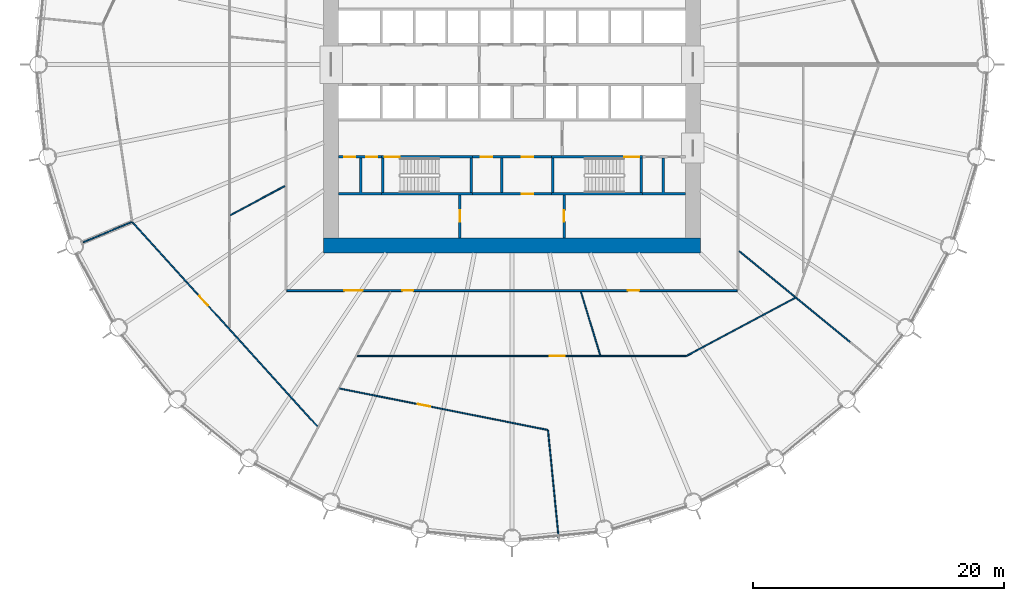
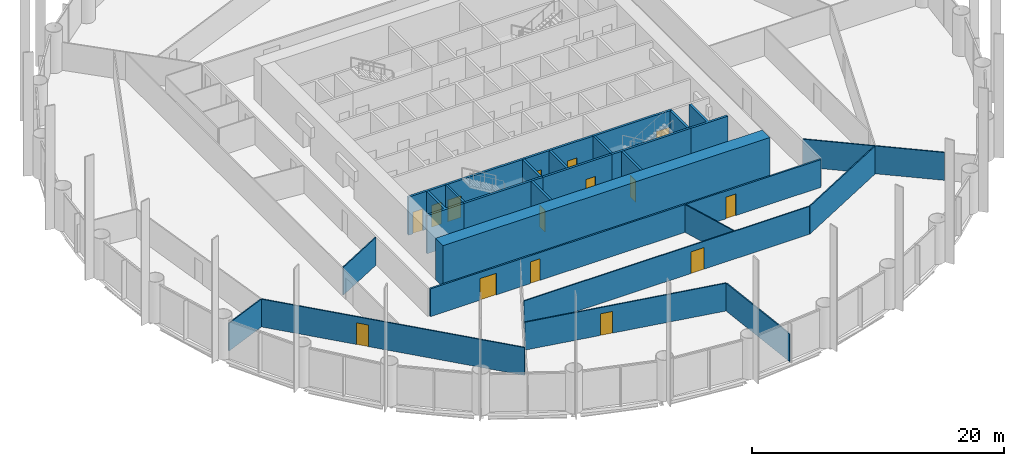
# One storey, part 9 of 15: 27 walls, 15 doors, 15 openings.
"""IFC4 building model written with IfcOpenShell, lengths in metres."""

from ifc_helpers import new_model, si_unit, direction, frame, frame_2d, origin, place, context, subcontext, project, spatial, polyline, rectangle, outline, extrude, material, layer, layer_set, type_object, element, fill, save


model = new_model("IFC4")

# Units and contexts
model_context = context("Model", 3, precision=1e-05, world=origin(), true_north=direction((0.0, 1.0)))
body_context = subcontext(model_context, "Body", "Model", "MODEL_VIEW")
ifc_project = project(units=[si_unit("LENGTHUNIT", "METRE"), si_unit("AREAUNIT", "SQUARE_METRE"), si_unit("VOLUMEUNIT", "CUBIC_METRE"), si_unit("PLANEANGLEUNIT", "RADIAN"), si_unit("MASSUNIT", "GRAM", prefix="KILO")], contexts=[model_context])

# Site, building, storey
site_placement = place(None, origin())
site = spatial("IfcSite", under=ifc_project, at=site_placement, CompositionType="ELEMENT")
building_placement = place(site_placement, origin())
building = spatial("IfcBuilding", under=site, at=building_placement, Name="Corvane Civic Tower", CompositionType="ELEMENT")
storey_placement = place(building_placement, frame((0.0, 0.0, 65.0)))
storey = spatial("IfcBuildingStorey", under=building, at=storey_placement, Name="L14", CompositionType="ELEMENT", Elevation=65.0)

# Wall
ifc_material_1 = material(Name="Concrete C80/95", Category="concrete")
ifc_layer_1 = layer(ifc_material_1, 1.199951171875)
ifc_layer_set_1 = layer_set([ifc_layer_1], Name="Concrete C80/95")
wall_type_1 = type_object("IfcWallType", Name="CORE WALL 1200 C80/95", PredefinedType="SHEAR", material=ifc_layer_set_1)
wall_1_placement = place(storey_placement, frame((-15.0, -14.39990234375, 0.0), z_axis=(0.0, 0.0, 1.0), x_axis=(1.0, 0.0, 0.0)))
element("IfcWall", 1, at=wall_1_placement, inside=storey, type_object=wall_type_1, Name="W-L14-core-S", PredefinedType="SHEAR", context=body_context, shape_type="SweptSolid", body=[
    extrude(rectangle(XDim=30.0, YDim=1.199951171875, at=frame_2d((15.0, 0.0))), origin(), (0.0, 0.0, 1.0), 4.0),
])

# Wall, opening, door
ifc_material_2 = material(Name="Concrete C30/37", Category="concrete")
ifc_layer_2 = layer(ifc_material_2, 0.199951171875)
ifc_layer_set_2 = layer_set([ifc_layer_2], Name="Concrete C30/37")
wall_type_2 = type_object("IfcWallType", Name="CR-WALL-200", PredefinedType="PARTITIONING", material=ifc_layer_set_2)
wall_2_placement = place(storey_placement, frame((-3.14990234375, -10.300048828125, 0.0), z_axis=(0.0, 0.0, 1.0), x_axis=(1.0, 0.0, 0.0)))
wall_2 = element("IfcWall", 2, at=wall_2_placement, inside=storey, type_object=wall_type_2, Name="L14 partition wall", PredefinedType="PARTITIONING", context=body_context, shape_type="SweptSolid", body=[
    extrude(rectangle(XDim=6.2998046875, YDim=0.199951171875, at=frame_2d((3.14990234375, 0.0))), origin(), (0.0, 0.0, 1.0), 3.699951171875),
])
opening_1_placement = place(wall_2_placement, frame((3.925048828125, 0.0, 0.0)))
opening_1 = element("IfcOpeningElement", 3, at=opening_1_placement, cuts=wall_2, Name="Opening L14.C10", PredefinedType="OPENING", context=body_context, shape_type="SweptSolid", body=[
    extrude(rectangle(XDim=0.89990234375, YDim=2.10009765625, at=frame_2d((0.449951171875, 1.050048828125))), frame((0.0, 0.10986328125, 0.0), z_axis=(0.0, -1.0, 0.0), x_axis=(1.0, 0.0, 0.0)), (0.0, 0.0, 1.0), 0.219970703125),
])
ifc_material_3 = material(Name="Steel fire door leaf", Category="steel")
door_type_1 = type_object("IfcDoorType", Name="CR-DOOR-900", OperationType="SINGLE_SWING_LEFT", PredefinedType="DOOR", material=ifc_material_3)
door_1_placement = place(opening_1_placement, origin())
door_1 = element("IfcDoor", 4, at=door_1_placement, inside=storey, type_object=door_type_1, Name="L14 door", OperationType="SINGLE_SWING_LEFT", OverallHeight=2.10009765625, OverallWidth=0.89990234375, PredefinedType="DOOR", context=body_context, shape_type="SweptSolid", body=[
    extrude(rectangle(XDim=0.89990234375, YDim=2.10009765625, at=frame_2d((0.449951171875, 1.050048828125))), frame((0.0, 0.02490234375, 0.0), z_axis=(0.0, -1.0, 0.0), x_axis=(1.0, 0.0, 0.0)), (0.0, 0.0, 1.0), 0.050048828125),
])
fill(opening_1, door_1)

# Wall, openings, doors
wall_3_placement = place(storey_placement, frame((-13.800048828125, -7.35009765625, 0.0), z_axis=(0.0, 0.0, 1.0), x_axis=(1.0, 0.0, 0.0)))
wall_3 = element("IfcWall", 5, at=wall_3_placement, inside=storey, type_object=wall_type_2, Name="L14 core partition wall", PredefinedType="PARTITIONING", context=body_context, shape_type="SweptSolid", body=[
    extrude(rectangle(XDim=3.400146484375, YDim=0.199951171875, at=frame_2d((1.7001953125, 0.0))), origin(), (0.0, 0.0, 1.0), 3.699951171875),
])
opening_2_placement = place(wall_3_placement, frame((0.425048828125, 0.0, 0.0)))
opening_2 = element("IfcOpeningElement", 6, at=opening_2_placement, cuts=wall_3, Name="Opening L14.C14", PredefinedType="OPENING", context=body_context, shape_type="SweptSolid", body=[
    extrude(rectangle(XDim=0.89990234375, YDim=2.10009765625, at=frame_2d((0.449951171875, 1.050048828125))), frame((0.0, 0.10986328125, 0.0), z_axis=(0.0, -1.0, 0.0), x_axis=(1.0, 0.0, 0.0)), (0.0, 0.0, 1.0), 0.219970703125),
])
opening_3_placement = place(wall_3_placement, frame((2.175048828125, 0.0, 0.0)))
opening_3 = element("IfcOpeningElement", 7, at=opening_3_placement, cuts=wall_3, Name="Opening L14.C15", PredefinedType="OPENING", context=body_context, shape_type="SweptSolid", body=[
    extrude(rectangle(XDim=0.89990234375, YDim=2.10009765625, at=frame_2d((0.449951171875, 1.050048828125))), frame((0.0, 0.10986328125, 0.0), z_axis=(0.0, -1.0, 0.0), x_axis=(1.0, 0.0, 0.0)), (0.0, 0.0, 1.0), 0.219970703125),
])
door_2_placement = place(opening_2_placement, origin())
door_2 = element("IfcDoor", 8, at=door_2_placement, inside=storey, type_object=door_type_1, Name="L14 door", OperationType="SINGLE_SWING_LEFT", OverallHeight=2.10009765625, OverallWidth=0.89990234375, PredefinedType="DOOR", context=body_context, shape_type="SweptSolid", body=[
    extrude(rectangle(XDim=0.89990234375, YDim=2.10009765625, at=frame_2d((0.449951171875, 1.050048828125))), frame((0.0, 0.02490234375, 0.0), z_axis=(0.0, -1.0, 0.0), x_axis=(1.0, 0.0, 0.0)), (0.0, 0.0, 1.0), 0.050048828125),
])
fill(opening_2, door_2)
door_3_placement = place(opening_3_placement, origin())
door_3 = element("IfcDoor", 9, at=door_3_placement, inside=storey, type_object=door_type_1, Name="L14 door", OperationType="SINGLE_SWING_LEFT", OverallHeight=2.10009765625, OverallWidth=0.89990234375, PredefinedType="DOOR", context=body_context, shape_type="SweptSolid", body=[
    extrude(rectangle(XDim=0.89990234375, YDim=2.10009765625, at=frame_2d((0.449951171875, 1.050048828125))), frame((0.0, 0.02490234375, 0.0), z_axis=(0.0, -1.0, 0.0), x_axis=(1.0, 0.0, 0.0)), (0.0, 0.0, 1.0), 0.050048828125),
])
fill(opening_3, door_3)

wall_4_placement = place(storey_placement, frame((-3.14990234375, -7.35009765625, 0.0), z_axis=(0.0, 0.0, 1.0), x_axis=(1.0, 0.0, 0.0)))
wall_4 = element("IfcWall", 10, at=wall_4_placement, inside=storey, type_object=wall_type_2, Name="L14 core partition wall", PredefinedType="PARTITIONING", context=body_context, shape_type="SweptSolid", body=[
    extrude(rectangle(XDim=6.2998046875, YDim=0.199951171875, at=frame_2d((3.14990234375, 0.0))), origin(), (0.0, 0.0, 1.0), 3.699951171875),
])
opening_4_placement = place(wall_4_placement, frame((0.675048828125, 0.0, 0.0)))
opening_4 = element("IfcOpeningElement", 11, at=opening_4_placement, cuts=wall_4, Name="Opening L14.C04", PredefinedType="OPENING", context=body_context, shape_type="SweptSolid", body=[
    extrude(rectangle(XDim=0.89990234375, YDim=2.10009765625, at=frame_2d((0.449951171875, 1.050048828125))), frame((0.0, 0.10986328125, 0.0), z_axis=(0.0, -1.0, 0.0), x_axis=(1.0, 0.0, 0.0)), (0.0, 0.0, 1.0), 0.219970703125),
])
opening_5_placement = place(wall_4_placement, frame((3.925048828125, 0.0, 0.0)))
opening_5 = element("IfcOpeningElement", 12, at=opening_5_placement, cuts=wall_4, Name="Opening L14.C05", PredefinedType="OPENING", context=body_context, shape_type="SweptSolid", body=[
    extrude(rectangle(XDim=0.89990234375, YDim=2.10009765625, at=frame_2d((0.449951171875, 1.050048828125))), frame((0.0, 0.10986328125, 0.0), z_axis=(0.0, -1.0, 0.0), x_axis=(1.0, 0.0, 0.0)), (0.0, 0.0, 1.0), 0.219970703125),
])
door_4_placement = place(opening_4_placement, origin())
door_4 = element("IfcDoor", 13, at=door_4_placement, inside=storey, type_object=door_type_1, Name="L14 door", OperationType="SINGLE_SWING_LEFT", OverallHeight=2.10009765625, OverallWidth=0.89990234375, PredefinedType="DOOR", context=body_context, shape_type="SweptSolid", body=[
    extrude(rectangle(XDim=0.89990234375, YDim=2.10009765625, at=frame_2d((0.449951171875, 1.050048828125))), frame((0.0, 0.02490234375, 0.0), z_axis=(0.0, -1.0, 0.0), x_axis=(1.0, 0.0, 0.0)), (0.0, 0.0, 1.0), 0.050048828125),
])
fill(opening_4, door_4)
door_5_placement = place(opening_5_placement, origin())
door_5 = element("IfcDoor", 14, at=door_5_placement, inside=storey, type_object=door_type_1, Name="L14 door", OperationType="SINGLE_SWING_LEFT", OverallHeight=2.10009765625, OverallWidth=0.89990234375, PredefinedType="DOOR", context=body_context, shape_type="SweptSolid", body=[
    extrude(rectangle(XDim=0.89990234375, YDim=2.10009765625, at=frame_2d((0.449951171875, 1.050048828125))), frame((0.0, 0.02490234375, 0.0), z_axis=(0.0, -1.0, 0.0), x_axis=(1.0, 0.0, 0.0)), (0.0, 0.0, 1.0), 0.050048828125),
])
fill(opening_5, door_5)

# Wall, opening, door
wall_5_placement = place(storey_placement, frame((-4.14990234375, -13.800048828125, 0.0), z_axis=(0.0, 0.0, 1.0), x_axis=(0.0, 1.0, 0.0)))
wall_5 = element("IfcWall", 15, at=wall_5_placement, inside=storey, type_object=wall_type_2, Name="L14 partition wall", PredefinedType="PARTITIONING", context=body_context, shape_type="SweptSolid", body=[
    extrude(rectangle(XDim=3.400146484375, YDim=0.199951171875, at=frame_2d((1.7001953125, 0.0))), origin(), (0.0, 0.0, 1.0), 3.699951171875),
])
opening_6_placement = place(wall_5_placement, frame((1.300048828125, 0.0, 0.0)))
opening_6 = element("IfcOpeningElement", 16, at=opening_6_placement, cuts=wall_5, Name="Opening L14.C09", PredefinedType="OPENING", context=body_context, shape_type="SweptSolid", body=[
    extrude(rectangle(XDim=0.89990234375, YDim=2.10009765625, at=frame_2d((0.449951171875, 1.050048828125))), frame((0.0, 0.10986328125, 0.0), z_axis=(0.0, -1.0, 0.0), x_axis=(1.0, 0.0, 0.0)), (0.0, 0.0, 1.0), 0.219970703125),
])
door_6_placement = place(opening_6_placement, origin())
door_6 = element("IfcDoor", 17, at=door_6_placement, inside=storey, type_object=door_type_1, Name="L14 door", OperationType="SINGLE_SWING_LEFT", OverallHeight=2.10009765625, OverallWidth=0.89990234375, PredefinedType="DOOR", context=body_context, shape_type="SweptSolid", body=[
    extrude(rectangle(XDim=0.89990234375, YDim=2.10009765625, at=frame_2d((0.449951171875, 1.050048828125))), frame((0.0, 0.02490234375, 0.0), z_axis=(0.0, -1.0, 0.0), x_axis=(1.0, 0.0, 0.0)), (0.0, 0.0, 1.0), 0.050048828125),
])
fill(opening_6, door_6)

wall_6_placement = place(storey_placement, frame((4.14990234375, -13.800048828125, 0.0), z_axis=(0.0, 0.0, 1.0), x_axis=(0.0, 1.0, 0.0)))
wall_6 = element("IfcWall", 18, at=wall_6_placement, inside=storey, type_object=wall_type_2, Name="L14 partition wall", PredefinedType="PARTITIONING", context=body_context, shape_type="SweptSolid", body=[
    extrude(rectangle(XDim=3.400146484375, YDim=0.199951171875, at=frame_2d((1.7001953125, 0.0))), origin(), (0.0, 0.0, 1.0), 3.699951171875),
])
opening_7_placement = place(wall_6_placement, frame((1.300048828125, 0.0, 0.0)))
opening_7 = element("IfcOpeningElement", 19, at=opening_7_placement, cuts=wall_6, Name="Opening L14.C11", PredefinedType="OPENING", context=body_context, shape_type="SweptSolid", body=[
    extrude(rectangle(XDim=0.89990234375, YDim=2.10009765625, at=frame_2d((0.449951171875, 1.050048828125))), frame((0.0, 0.10986328125, 0.0), z_axis=(0.0, -1.0, 0.0), x_axis=(1.0, 0.0, 0.0)), (0.0, 0.0, 1.0), 0.219970703125),
])
door_7_placement = place(opening_7_placement, origin())
door_7 = element("IfcDoor", 20, at=door_7_placement, inside=storey, type_object=door_type_1, Name="L14 door", OperationType="SINGLE_SWING_LEFT", OverallHeight=2.10009765625, OverallWidth=0.89990234375, PredefinedType="DOOR", context=body_context, shape_type="SweptSolid", body=[
    extrude(rectangle(XDim=0.89990234375, YDim=2.10009765625, at=frame_2d((0.449951171875, 1.050048828125))), frame((0.0, 0.02490234375, 0.0), z_axis=(0.0, -1.0, 0.0), x_axis=(1.0, 0.0, 0.0)), (0.0, 0.0, 1.0), 0.050048828125),
])
fill(opening_7, door_7)

# Walls
wall_7_placement = place(storey_placement, origin())
element("IfcWall", 21, at=wall_7_placement, inside=storey, type_object=wall_type_2, Name="L14 core partition wall", PredefinedType="PARTITIONING", context=body_context, shape_type="SweptSolid", body=[
    extrude(outline(polyline([(-12.14990234375, -7.449951171875), (-11.949951171875, -7.449951171875), (-11.949951171875, -10.199951171875), (-10.39990234375, -10.199951171875), (-10.39990234375, -10.39990234375), (-13.800048828125, -10.39990234375), (-13.800048828125, -10.199951171875), (-12.14990234375, -10.199951171875), (-12.14990234375, -7.449951171875)])), origin(), (0.0, 0.0, 1.0), 3.699951171875),
])
wall_8_placement = place(storey_placement, origin())
element("IfcWall", 22, at=wall_8_placement, inside=storey, type_object=wall_type_2, Name="L14 core partition wall", PredefinedType="PARTITIONING", context=body_context, shape_type="SweptSolid", body=[
    extrude(outline(polyline([(-0.699951171875, -10.199951171875), (-0.89990234375, -10.199951171875), (-0.89990234375, -7.449951171875), (-0.699951171875, -7.449951171875), (-0.699951171875, -10.199951171875)])), origin(), (0.0, 0.0, 1.0), 3.699951171875),
])
wall_9_placement = place(storey_placement, origin())
element("IfcWall", 23, at=wall_9_placement, inside=storey, type_object=wall_type_2, Name="L14 core partition wall", PredefinedType="PARTITIONING", context=body_context, shape_type="SweptSolid", body=[
    extrude(outline(polyline([(11.949951171875, -7.449951171875), (12.14990234375, -7.449951171875), (12.14990234375, -10.199951171875), (13.800048828125, -10.199951171875), (13.800048828125, -10.39990234375), (10.39990234375, -10.39990234375), (10.39990234375, -10.199951171875), (11.949951171875, -10.199951171875), (11.949951171875, -7.449951171875)])), origin(), (0.0, 0.0, 1.0), 3.699951171875),
])
ifc_material_4 = material(Name="Plasterboard")
ifc_layer_3 = layer(ifc_material_4, 0.10009765625)
ifc_layer_set_3 = layer_set([ifc_layer_3], Name="Plasterboard")
wall_type_3 = type_object("IfcWallType", Name="Partition 100 plasterboard on studs", PredefinedType="PARTITIONING", material=ifc_layer_set_3)
wall_10_placement = place(storey_placement, frame((2.86962890625, -29.1357421875, 0.0), z_axis=(0.0, 0.0, 1.0), x_axis=(0.098012580456, -0.99518517577, 0.0)))
element("IfcWall", 24, at=wall_10_placement, inside=storey, type_object=wall_type_3, Name="Partition L14.001", PredefinedType="PARTITIONING", context=body_context, shape_type="SweptSolid", body=[
    extrude(rectangle(XDim=8.67333984375, YDim=0.10009765625, at=frame_2d((4.336669921875, 0.0))), origin(), (0.0, 0.0, 1.0), 2.699951171875),
])

# Wall, opening, door
wall_11_placement = place(storey_placement, frame((-13.71728515625, -25.80029296875, 0.0), z_axis=(0.0, 0.0, 1.0), x_axis=(0.980786622224, -0.195083576107, 0.0)))
wall_11 = element("IfcWall", 25, at=wall_11_placement, inside=storey, type_object=wall_type_3, Name="Partition L14.003", PredefinedType="PARTITIONING", context=body_context, shape_type="SweptSolid", body=[
    extrude(rectangle(XDim=16.87109375, YDim=0.10009765625, at=frame_2d((8.435546875, 0.0))), origin(), (0.0, 0.0, 1.0), 2.699951171875),
])
opening_8_placement = place(wall_11_placement, frame((6.35205078125, 0.0, 0.0)))
opening_8 = element("IfcOpeningElement", 26, at=opening_8_placement, cuts=wall_11, Name="Opening L14.002", PredefinedType="OPENING", context=body_context, shape_type="SweptSolid", body=[
    extrude(rectangle(XDim=1.0, YDim=2.10009765625, at=frame_2d((0.5, 1.050048828125))), frame((0.0, 0.06005859375, 0.0), z_axis=(0.0, -1.0, 0.0), x_axis=(1.0, 0.0, 0.0)), (0.0, 0.0, 1.0), 0.1201171875),
])
ifc_material_5 = material(Name="Timber", Category="wood")
door_type_2 = type_object("IfcDoorType", Name="Single door 1000", OperationType="NOTDEFINED", PredefinedType="DOOR", material=ifc_material_5)
door_8_placement = place(opening_8_placement, frame((1.0, 0.0, 0.0), z_axis=(0.0, 0.0, 1.0), x_axis=(-1.0, 0.0, 0.0)))
door_8 = element("IfcDoor", 27, at=door_8_placement, inside=storey, type_object=door_type_2, Name="Door L14.002", OperationType="SINGLE_SWING_RIGHT", OverallHeight=2.10009765625, OverallWidth=1.0, PredefinedType="DOOR", context=body_context, shape_type="SweptSolid", body=[
    extrude(rectangle(XDim=1.0, YDim=2.10009765625, at=frame_2d((0.5, 1.050048828125))), frame((0.0, 0.02490234375, 0.0), z_axis=(0.0, -1.0, 0.0), x_axis=(1.0, 0.0, 0.0)), (0.0, 0.0, 1.0), 0.050048828125),
])
fill(opening_8, door_8)

wall_12_placement = place(storey_placement, frame((-30.227783203125, -12.556640625, 0.0), z_axis=(0.0, 0.0, 1.0), x_axis=(0.67156235145, -0.740948046839, 0.0)))
wall_12 = element("IfcWall", 28, at=wall_12_placement, inside=storey, type_object=wall_type_3, Name="Partition L14.004", PredefinedType="PARTITIONING", context=body_context, shape_type="SweptSolid", body=[
    extrude(rectangle(XDim=21.9560546875, YDim=0.10009765625, at=frame_2d((10.97802734375, 0.0))), origin(), (0.0, 0.0, 1.0), 2.699951171875),
])
opening_9_placement = place(wall_12_placement, frame((7.940185546875, 0.0, 0.0)))
opening_9 = element("IfcOpeningElement", 29, at=opening_9_placement, cuts=wall_12, Name="Opening L14.008", PredefinedType="OPENING", context=body_context, shape_type="SweptSolid", body=[
    extrude(rectangle(XDim=1.0, YDim=2.10009765625, at=frame_2d((0.5, 1.050048828125))), frame((0.0, 0.06005859375, 0.0), z_axis=(0.0, -1.0, 0.0), x_axis=(1.0, 0.0, 0.0)), (0.0, 0.0, 1.0), 0.1201171875),
])
door_9_placement = place(opening_9_placement, frame((1.0, 0.0, 0.0), z_axis=(0.0, 0.0, 1.0), x_axis=(-1.0, 0.0, 0.0)))
door_9 = element("IfcDoor", 30, at=door_9_placement, inside=storey, type_object=door_type_2, Name="Door L14.008", OperationType="SINGLE_SWING_RIGHT", OverallHeight=2.10009765625, OverallWidth=1.0, PredefinedType="DOOR", context=body_context, shape_type="SweptSolid", body=[
    extrude(rectangle(XDim=1.0, YDim=2.10009765625, at=frame_2d((0.5, 1.050048828125))), frame((0.0, 0.02490234375, 0.0), z_axis=(0.0, -1.0, 0.0), x_axis=(1.0, 0.0, 0.0)), (0.0, 0.0, 1.0), 0.050048828125),
])
fill(opening_9, door_9)

wall_13_placement = place(storey_placement, frame((-12.317138671875, -23.199951171875, 0.0), z_axis=(0.0, 0.0, 1.0), x_axis=(1.0, 0.0, 0.0)))
wall_13 = element("IfcWall", 31, at=wall_13_placement, inside=storey, type_object=wall_type_3, Name="Partition L14.006", PredefinedType="PARTITIONING", context=body_context, shape_type="SweptSolid", body=[
    extrude(rectangle(XDim=26.20654296875, YDim=0.10009765625, at=frame_2d((13.103271484375, 0.0))), origin(), (0.0, 0.0, 1.0), 2.699951171875),
])
opening_10_placement = place(wall_13_placement, frame((15.31494140625, 0.0, 0.0)))
opening_10 = element("IfcOpeningElement", 32, at=opening_10_placement, cuts=wall_13, Name="Opening L14.004", PredefinedType="OPENING", context=body_context, shape_type="SweptSolid", body=[
    extrude(rectangle(XDim=1.199951171875, YDim=2.10009765625, at=frame_2d((0.60009765625, 1.050048828125))), frame((0.0, 0.06005859375, 0.0), z_axis=(0.0, -1.0, 0.0), x_axis=(1.0, 0.0, 0.0)), (0.0, 0.0, 1.0), 0.1201171875),
])
ifc_material_6 = material(Name="Timber", Category="wood")
door_type_3 = type_object("IfcDoorType", Name="Double door 1200", OperationType="NOTDEFINED", PredefinedType="DOOR", material=ifc_material_6)
door_10_placement = place(opening_10_placement, frame((1.199951171875, 0.0, 0.0), z_axis=(0.0, 0.0, 1.0), x_axis=(-1.0, 0.0, 0.0)))
door_10 = element("IfcDoor", 33, at=door_10_placement, inside=storey, type_object=door_type_3, Name="Door L14.004", OperationType="DOUBLE_DOOR_SINGLE_SWING", OverallHeight=2.10009765625, OverallWidth=1.199951171875, PredefinedType="DOOR", context=body_context, shape_type="SweptSolid", body=[
    extrude(rectangle(XDim=1.199951171875, YDim=2.10009765625, at=frame_2d((0.60009765625, 1.050048828125))), frame((0.0, 0.02490234375, 0.0), z_axis=(0.0, -1.0, 0.0), x_axis=(1.0, 0.0, 0.0)), (0.0, 0.0, 1.0), 0.050048828125),
])
fill(opening_10, door_10)

# Walls
wall_14_placement = place(storey_placement, frame((13.9130859375, -23.194091796875, 0.0), z_axis=(0.0, 0.0, 1.0), x_axis=(0.88192128868, 0.471396691305, 0.0)))
element("IfcWall", 34, at=wall_14_placement, inside=storey, type_object=wall_type_3, Name="Partition L14.007", PredefinedType="PARTITIONING", context=body_context, shape_type="SweptSolid", body=[
    extrude(rectangle(XDim=9.778076171875, YDim=0.10009765625, at=frame_2d((4.88916015625, 0.0))), origin(), (0.0, 0.0, 1.0), 2.699951171875),
])
wall_15_placement = place(storey_placement, frame((5.4873046875, -18.089599609375, 0.0), z_axis=(0.0, 0.0, 1.0), x_axis=(0.290302940199, -0.956934795538, 0.0)))
element("IfcWall", 35, at=wall_15_placement, inside=storey, type_object=wall_type_3, Name="Partition L14.008", PredefinedType="PARTITIONING", context=body_context, shape_type="SweptSolid", body=[
    extrude(rectangle(XDim=5.27294921875, YDim=0.10009765625, at=frame_2d((2.636474609375, 0.0))), origin(), (0.0, 0.0, 1.0), 2.699951171875),
])
wall_16_placement = place(storey_placement, frame((18.106689453125, -14.85986328125, 0.0), z_axis=(0.0, 0.0, 1.0), x_axis=(0.773018264294, -0.634383766397, 0.0)))
element("IfcWall", 36, at=wall_16_placement, inside=storey, type_object=wall_type_3, Name="Partition L14.009", PredefinedType="PARTITIONING", context=body_context, shape_type="SweptSolid", body=[
    extrude(rectangle(XDim=11.42041015625, YDim=0.10009765625, at=frame_2d((5.710205078125, 0.0))), origin(), (0.0, 0.0, 1.0), 2.699951171875),
])
wall_17_placement = place(storey_placement, frame((-34.17431640625, -14.155517578125, 0.0), z_axis=(0.0, 0.0, 1.0), x_axis=(0.923864757577, 0.382719100265, 0.0)))
element("IfcWall", 37, at=wall_17_placement, inside=storey, type_object=wall_type_3, Name="Partition L14.016", PredefinedType="PARTITIONING", context=body_context, shape_type="SweptSolid", body=[
    extrude(rectangle(XDim=4.20703125, YDim=0.10009765625, at=frame_2d((2.103515625, 0.0))), origin(), (0.0, 0.0, 1.0), 2.699951171875),
])
wall_18_placement = place(storey_placement, frame((-22.426513671875, -11.9873046875, 0.0), z_axis=(0.0, 0.0, 1.0), x_axis=(0.881906349881, 0.47142463877, 0.0)))
element("IfcWall", 38, at=wall_18_placement, inside=storey, type_object=wall_type_3, Name="Partition L14.018", PredefinedType="PARTITIONING", context=body_context, shape_type="SweptSolid", body=[
    extrude(rectangle(XDim=4.907470703125, YDim=0.10009765625, at=frame_2d((2.45361328125, 0.0))), origin(), (0.0, 0.0, 1.0), 2.699951171875),
])

# Wall, opening, door
ifc_material_7 = material(Name="Concrete C50/60", Category="concrete")
ifc_layer_4 = layer(ifc_material_7, 0.199951171875)
ifc_layer_set_4 = layer_set([ifc_layer_4], Name="Concrete C50/60")
wall_type_4 = type_object("IfcWallType", Name="ST-WALL-200", PredefinedType="SHEAR", material=ifc_layer_set_4)
wall_19_placement = place(storey_placement, frame((-10.39990234375, -7.35009765625, 0.0), z_axis=(0.0, 0.0, 1.0), x_axis=(1.0, 0.0, 0.0)))
wall_19 = element("IfcWall", 39, at=wall_19_placement, inside=storey, type_object=wall_type_4, Name="L14 stair enclosure wall", PredefinedType="SHEAR", context=body_context, shape_type="SweptSolid", body=[
    extrude(rectangle(XDim=7.25, YDim=0.199951171875, at=frame_2d((3.625, 0.0))), origin(), (0.0, 0.0, 1.0), 3.699951171875),
])
opening_11_placement = place(wall_19_placement, frame((0.25, 0.0, 0.0)))
opening_11 = element("IfcOpeningElement", 40, at=opening_11_placement, cuts=wall_19, Name="Opening L14.C23", PredefinedType="OPENING", context=body_context, shape_type="SweptSolid", body=[
    extrude(rectangle(XDim=1.199951171875, YDim=2.10009765625, at=frame_2d((0.60009765625, 1.050048828125))), frame((0.0, 0.10986328125, 0.0), z_axis=(0.0, -1.0, 0.0), x_axis=(1.0, 0.0, 0.0)), (0.0, 0.0, 1.0), 0.219970703125),
])
ifc_material_8 = material(Name="Steel fire door leaf", Category="steel")
door_type_4 = type_object("IfcDoorType", Name="ST-DOOR-1200", OperationType="SINGLE_SWING_RIGHT", PredefinedType="DOOR", material=ifc_material_8)
door_11_placement = place(opening_11_placement, origin())
door_11 = element("IfcDoor", 41, at=door_11_placement, inside=storey, type_object=door_type_4, Name="L14 stair door", OperationType="SINGLE_SWING_RIGHT", OverallHeight=2.10009765625, OverallWidth=1.199951171875, PredefinedType="DOOR", context=body_context, shape_type="SweptSolid", body=[
    extrude(rectangle(XDim=1.199951171875, YDim=2.10009765625, at=frame_2d((0.60009765625, 1.050048828125))), frame((0.0, 0.02490234375, 0.0), z_axis=(0.0, -1.0, 0.0), x_axis=(1.0, 0.0, 0.0)), (0.0, 0.0, 1.0), 0.050048828125),
])
fill(opening_11, door_11)

wall_20_placement = place(storey_placement, frame((3.14990234375, -7.35009765625, 0.0), z_axis=(0.0, 0.0, 1.0), x_axis=(1.0, 0.0, 0.0)))
wall_20 = element("IfcWall", 42, at=wall_20_placement, inside=storey, type_object=wall_type_4, Name="L14 stair enclosure wall", PredefinedType="SHEAR", context=body_context, shape_type="SweptSolid", body=[
    extrude(rectangle(XDim=7.25, YDim=0.199951171875, at=frame_2d((3.625, 0.0))), origin(), (0.0, 0.0, 1.0), 3.699951171875),
])
opening_12_placement = place(wall_20_placement, frame((5.800048828125, 0.0, 0.0)))
opening_12 = element("IfcOpeningElement", 43, at=opening_12_placement, cuts=wall_20, Name="Opening L14.C22", PredefinedType="OPENING", context=body_context, shape_type="SweptSolid", body=[
    extrude(rectangle(XDim=1.199951171875, YDim=2.10009765625, at=frame_2d((0.60009765625, 1.050048828125))), frame((0.0, 0.10986328125, 0.0), z_axis=(0.0, -1.0, 0.0), x_axis=(1.0, 0.0, 0.0)), (0.0, 0.0, 1.0), 0.219970703125),
])
door_12_placement = place(opening_12_placement, origin())
door_12 = element("IfcDoor", 44, at=door_12_placement, inside=storey, type_object=door_type_4, Name="L14 stair door", OperationType="SINGLE_SWING_RIGHT", OverallHeight=2.10009765625, OverallWidth=1.199951171875, PredefinedType="DOOR", context=body_context, shape_type="SweptSolid", body=[
    extrude(rectangle(XDim=1.199951171875, YDim=2.10009765625, at=frame_2d((0.60009765625, 1.050048828125))), frame((0.0, 0.02490234375, 0.0), z_axis=(0.0, -1.0, 0.0), x_axis=(1.0, 0.0, 0.0)), (0.0, 0.0, 1.0), 0.050048828125),
])
fill(opening_12, door_12)

# Walls
wall_21_placement = place(storey_placement, origin())
element("IfcWall", 45, at=wall_21_placement, inside=storey, type_object=wall_type_4, Name="L14 stair enclosure wall", PredefinedType="SHEAR", context=body_context, shape_type="SweptSolid", body=[
    extrude(outline(polyline([(-3.14990234375, -10.199951171875), (-3.14990234375, -10.39990234375), (-10.39990234375, -10.39990234375), (-10.39990234375, -10.199951171875), (-3.14990234375, -10.199951171875)])), origin(), (0.0, 0.0, 1.0), 3.699951171875),
])
wall_22_placement = place(storey_placement, origin())
element("IfcWall", 46, at=wall_22_placement, inside=storey, type_object=wall_type_4, Name="L14 stair enclosure wall", PredefinedType="SHEAR", context=body_context, shape_type="SweptSolid", body=[
    extrude(outline(polyline([(10.39990234375, -10.39990234375), (3.14990234375, -10.39990234375), (3.14990234375, -10.199951171875), (10.39990234375, -10.199951171875), (10.39990234375, -10.39990234375)])), origin(), (0.0, 0.0, 1.0), 3.699951171875),
])
wall_23_placement = place(storey_placement, origin())
element("IfcWall", 47, at=wall_23_placement, inside=storey, type_object=wall_type_4, Name="L14 stair enclosure wall", PredefinedType="SHEAR", context=body_context, shape_type="SweptSolid", body=[
    extrude(outline(polyline([(-3.14990234375, -7.449951171875), (-3.14990234375, -10.199951171875), (-3.35009765625, -10.199951171875), (-3.35009765625, -7.449951171875), (-3.14990234375, -7.449951171875)])), origin(), (0.0, 0.0, 1.0), 3.699951171875),
])
wall_24_placement = place(storey_placement, origin())
element("IfcWall", 48, at=wall_24_placement, inside=storey, type_object=wall_type_4, Name="L14 stair enclosure wall", PredefinedType="SHEAR", context=body_context, shape_type="SweptSolid", body=[
    extrude(outline(polyline([(3.35009765625, -7.449951171875), (3.35009765625, -10.199951171875), (3.14990234375, -10.199951171875), (3.14990234375, -7.449951171875), (3.35009765625, -7.449951171875)])), origin(), (0.0, 0.0, 1.0), 3.699951171875),
])
wall_25_placement = place(storey_placement, origin())
element("IfcWall", 49, at=wall_25_placement, inside=storey, type_object=wall_type_4, Name="L14 stair enclosure wall", PredefinedType="SHEAR", context=body_context, shape_type="SweptSolid", body=[
    extrude(outline(polyline([(-10.199951171875, -7.449951171875), (-10.199951171875, -10.199951171875), (-10.39990234375, -10.199951171875), (-10.39990234375, -7.449951171875), (-10.199951171875, -7.449951171875)])), origin(), (0.0, 0.0, 1.0), 3.699951171875),
])
wall_26_placement = place(storey_placement, origin())
element("IfcWall", 50, at=wall_26_placement, inside=storey, type_object=wall_type_4, Name="L14 stair enclosure wall", PredefinedType="SHEAR", context=body_context, shape_type="SweptSolid", body=[
    extrude(outline(polyline([(10.39990234375, -7.449951171875), (10.39990234375, -10.199951171875), (10.199951171875, -10.199951171875), (10.199951171875, -7.449951171875), (10.39990234375, -7.449951171875)])), origin(), (0.0, 0.0, 1.0), 3.699951171875),
])

# Wall, openings, doors
ifc_material_9 = material(Name="Plasterboard")
ifc_layer_5 = layer(ifc_material_9, 0.14990234375)
ifc_layer_set_5 = layer_set([ifc_layer_5], Name="Plasterboard")
wall_type_5 = type_object("IfcWallType", Name="Tenancy wall 150 EI 60", PredefinedType="PARTITIONING", material=ifc_layer_set_5)
wall_27_placement = place(storey_placement, frame((-17.925048828125, -18.0, 0.0), z_axis=(0.0, 0.0, 1.0), x_axis=(1.0, 0.0, 0.0)))
wall_27 = element("IfcWall", 51, at=wall_27_placement, inside=storey, type_object=wall_type_5, Name="Partition L14.012", PredefinedType="PARTITIONING", context=body_context, shape_type="SweptSolid", body=[
    extrude(rectangle(XDim=35.85009765625, YDim=0.14990234375, at=frame_2d((17.925048828125, 0.0))), origin(), (0.0, 0.0, 1.0), 2.699951171875),
])
opening_13_placement = place(wall_27_placement, frame((27.14501953125, 0.0, 0.0)))
opening_13 = element("IfcOpeningElement", 52, at=opening_13_placement, cuts=wall_27, Name="Opening L14.006", PredefinedType="OPENING", context=body_context, shape_type="SweptSolid", body=[
    extrude(rectangle(XDim=0.89990234375, YDim=2.10009765625, at=frame_2d((0.449951171875, 1.050048828125))), frame((0.0, 0.0849609375, 0.0), z_axis=(0.0, -1.0, 0.0), x_axis=(1.0, 0.0, 0.0)), (0.0, 0.0, 1.0), 0.169921875),
])
opening_14_placement = place(wall_27_placement, frame((9.177490234375, 0.0, 0.0)))
opening_14 = element("IfcOpeningElement", 53, at=opening_14_placement, cuts=wall_27, Name="Opening L14.007", PredefinedType="OPENING", context=body_context, shape_type="SweptSolid", body=[
    extrude(rectangle(XDim=0.89990234375, YDim=2.10009765625, at=frame_2d((0.449951171875, 1.050048828125))), frame((0.0, 0.0849609375, 0.0), z_axis=(0.0, -1.0, 0.0), x_axis=(1.0, 0.0, 0.0)), (0.0, 0.0, 1.0), 0.169921875),
])
opening_15_placement = place(wall_27_placement, frame((4.5517578125, 0.0, 0.0)))
opening_15 = element("IfcOpeningElement", 54, at=opening_15_placement, cuts=wall_27, Name="Opening L14.012", PredefinedType="OPENING", context=body_context, shape_type="SweptSolid", body=[
    extrude(rectangle(XDim=1.5, YDim=2.10009765625, at=frame_2d((0.75, 1.050048828125))), frame((0.0, 0.0849609375, 0.0), z_axis=(0.0, -1.0, 0.0), x_axis=(1.0, 0.0, 0.0)), (0.0, 0.0, 1.0), 0.169921875),
])
ifc_material_10 = material(Name="Steel and timber", Category="steel")
door_type_5 = type_object("IfcDoorType", Name="Fire door FD30S 900", OperationType="NOTDEFINED", PredefinedType="DOOR", material=ifc_material_10)
door_13_placement = place(opening_13_placement, frame((0.89990234375, 0.0, 0.0), z_axis=(0.0, 0.0, 1.0), x_axis=(-1.0, 0.0, 0.0)))
door_13 = element("IfcDoor", 55, at=door_13_placement, inside=storey, type_object=door_type_5, Name="Door L14.006", OperationType="SINGLE_SWING_LEFT", OverallHeight=2.10009765625, OverallWidth=0.89990234375, PredefinedType="DOOR", context=body_context, shape_type="SweptSolid", body=[
    extrude(rectangle(XDim=0.89990234375, YDim=2.10009765625, at=frame_2d((0.449951171875, 1.050048828125))), frame((0.0, 0.02490234375, 0.0), z_axis=(0.0, -1.0, 0.0), x_axis=(1.0, 0.0, 0.0)), (0.0, 0.0, 1.0), 0.050048828125),
])
fill(opening_13, door_13)
door_14_placement = place(opening_14_placement, frame((0.89990234375, 0.0, 0.0), z_axis=(0.0, 0.0, 1.0), x_axis=(-1.0, 0.0, 0.0)))
door_14 = element("IfcDoor", 56, at=door_14_placement, inside=storey, type_object=door_type_5, Name="Door L14.007", OperationType="SINGLE_SWING_LEFT", OverallHeight=2.10009765625, OverallWidth=0.89990234375, PredefinedType="DOOR", context=body_context, shape_type="SweptSolid", body=[
    extrude(rectangle(XDim=0.89990234375, YDim=2.10009765625, at=frame_2d((0.449951171875, 1.050048828125))), frame((0.0, 0.02490234375, 0.0), z_axis=(0.0, -1.0, 0.0), x_axis=(1.0, 0.0, 0.0)), (0.0, 0.0, 1.0), 0.050048828125),
])
fill(opening_14, door_14)
ifc_material_11 = material(Name="Steel and timber", Category="steel")
door_type_6 = type_object("IfcDoorType", Name="Fire door FD60 double 1500", OperationType="NOTDEFINED", PredefinedType="DOOR", material=ifc_material_11)
door_15_placement = place(opening_15_placement, frame((1.5, 0.0, 0.0), z_axis=(0.0, 0.0, 1.0), x_axis=(-1.0, 0.0, 0.0)))
door_15 = element("IfcDoor", 57, at=door_15_placement, inside=storey, type_object=door_type_6, Name="Door L14.012", OperationType="DOUBLE_DOOR_SINGLE_SWING", OverallHeight=2.10009765625, OverallWidth=1.5, PredefinedType="DOOR", context=body_context, shape_type="SweptSolid", body=[
    extrude(rectangle(XDim=1.5, YDim=2.10009765625, at=frame_2d((0.75, 1.050048828125))), frame((0.0, 0.02490234375, 0.0), z_axis=(0.0, -1.0, 0.0), x_axis=(1.0, 0.0, 0.0)), (0.0, 0.0, 1.0), 0.050048828125),
])
fill(opening_15, door_15)

save(model, "model.ifc")
